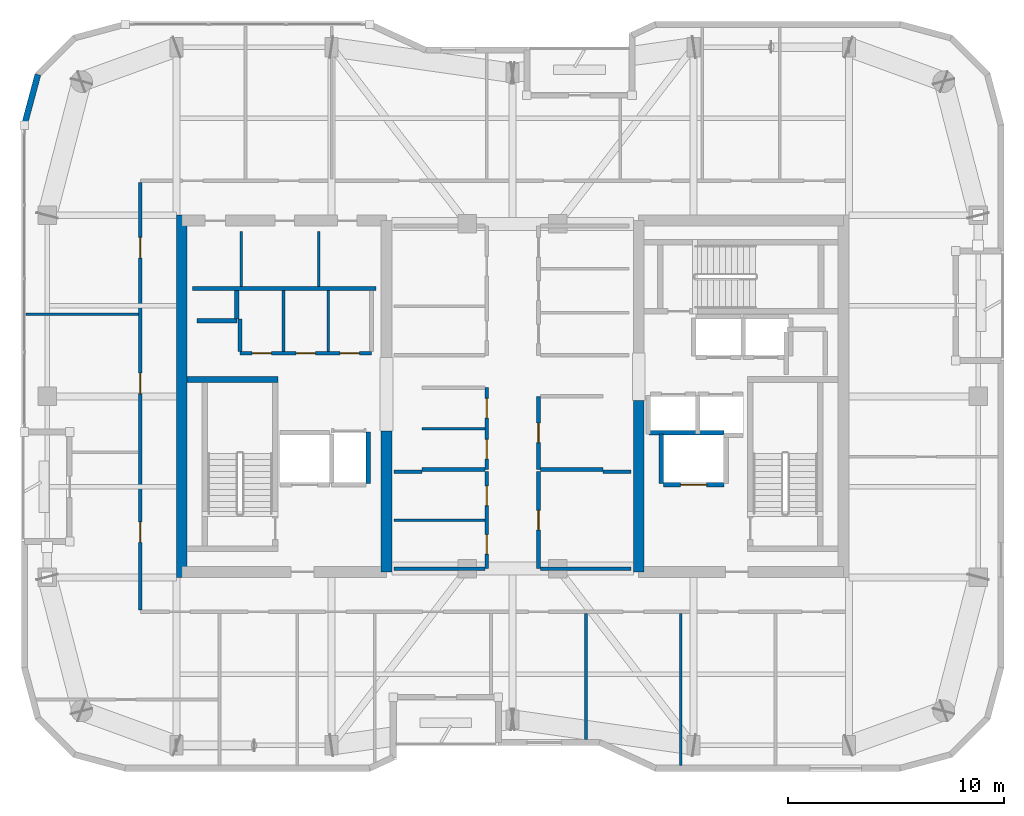
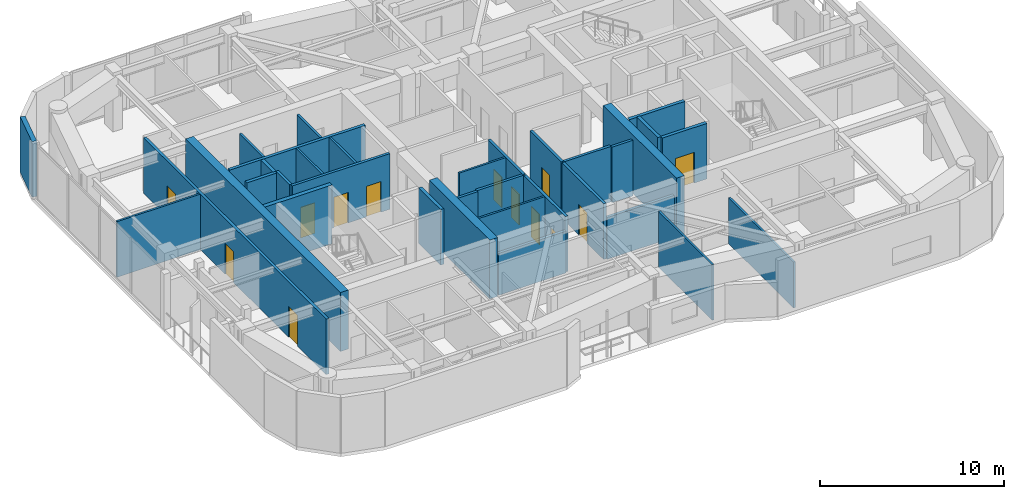
# One storey, part 11 of 16: 34 walls, 13 doors, 13 openings.
"""IFC4 building model written with IfcOpenShell, lengths in metres."""

from ifc_helpers import new_model, si_unit, direction, frame, frame_2d, origin, place, context, subcontext, project, spatial, rectangle, extrude, material, layer, layer_set, type_object, element, fill, save


model = new_model("IFC4")

# Units and contexts
model_context = context("Model", 3, precision=1e-05, world=origin(), true_north=direction((0.0, 1.0)))
body_context = subcontext(model_context, "Body", "Model", "MODEL_VIEW")
ifc_project = project(units=[si_unit("LENGTHUNIT", "METRE"), si_unit("AREAUNIT", "SQUARE_METRE"), si_unit("VOLUMEUNIT", "CUBIC_METRE"), si_unit("PLANEANGLEUNIT", "RADIAN"), si_unit("MASSUNIT", "GRAM", prefix="KILO")], contexts=[model_context])

# Site, building, storey
site_placement = place(None, origin())
site = spatial("IfcSite", under=ifc_project, at=site_placement, CompositionType="ELEMENT")
building_placement = place(site_placement, origin())
building = spatial("IfcBuilding", under=site, at=building_placement, Name="Kiyonajd Concourse Tower", CompositionType="ELEMENT")
storey_placement = place(building_placement, frame((0.0, 0.0, 310.199951171875)))
storey = spatial("IfcBuildingStorey", under=building, at=storey_placement, Name="L78", CompositionType="ELEMENT", Elevation=310.199951171875)

# Walls
ifc_material_1 = material(Name="Concrete C60/75", Category="concrete")
ifc_layer_1 = layer(ifc_material_1, 0.5)
ifc_layer_set_1 = layer_set([ifc_layer_1], Name="Concrete C60/75")
wall_type_1 = type_object("IfcWallType", Name="WL-CORE-500", PredefinedType="SHEAR", material=ifc_layer_set_1)
wall_1_placement = place(storey_placement, frame((32.64990234375, 27.60009765625, 0.0), z_axis=(0.0, 0.0, 1.0), x_axis=(0.0, 1.0, 0.0)))
element("IfcWall", 1, at=wall_1_placement, inside=storey, type_object=wall_type_1, Name="L78 West Core Outer Shear Wall", PredefinedType="SHEAR", context=body_context, shape_type="SweptSolid", body=[
    extrude(rectangle(XDim=16.7998046875, YDim=0.5, at=frame_2d((8.39990234375, 0.0))), origin(), (0.0, 0.0, 1.0), 3.900146484375),
])
wall_2_placement = place(storey_placement, frame((42.14990234375, 27.85009765625, 0.0), z_axis=(0.0, 0.0, 1.0), x_axis=(0.0, 1.0, 0.0)))
element("IfcWall", 2, at=wall_2_placement, inside=storey, type_object=wall_type_1, Name="L78 West Core Inner South Shear Wall", PredefinedType="SHEAR", context=body_context, shape_type="SweptSolid", body=[
    extrude(rectangle(XDim=6.5498046875, YDim=0.5, at=frame_2d((3.27490234375, 0.0))), origin(), (0.0, 0.0, 1.0), 3.900146484375),
])
wall_3_placement = place(storey_placement, frame((53.85009765625, 27.85009765625, 0.0), z_axis=(0.0, 0.0, 1.0), x_axis=(0.0, 1.0, 0.0)))
element("IfcWall", 3, at=wall_3_placement, inside=storey, type_object=wall_type_1, Name="L78 East Core Inner South Shear Wall", PredefinedType="SHEAR", context=body_context, shape_type="SweptSolid", body=[
    extrude(rectangle(XDim=7.949951171875, YDim=0.5, at=frame_2d((3.97509765625, 0.0))), origin(), (0.0, 0.0, 1.0), 3.900146484375),
])
ifc_material_2 = material(Name="Precast concrete C50/60", Category="concrete")
ifc_layer_2 = layer(ifc_material_2, 0.280029296875)
ifc_layer_set_2 = layer_set([ifc_layer_2], Name="Precast concrete C50/60")
wall_type_2 = type_object("IfcWallType", Name="WL-EXT-280", PredefinedType="SOLIDWALL", material=ifc_layer_set_2)
wall_4_placement = place(storey_placement, frame((25.340087890625, 48.58154296875, 0.0), z_axis=(0.0, 0.0, 1.0), x_axis=(0.258751159445, 0.965944013639, 0.0)))
element("IfcWall", 4, at=wall_4_placement, inside=storey, type_object=wall_type_2, Name="L78 Exterior Concrete Frame Wall 06", PredefinedType="SOLIDWALL", context=body_context, shape_type="SweptSolid", body=[
    extrude(rectangle(XDim=2.4287109375, YDim=0.280029296875, at=frame_2d((1.21435546875, 0.0))), origin(), (0.0, 0.0, 1.0), 3.679931640625),
])
ifc_material_3 = material(Name="Gypsum Board on Cold-Formed Steel Stud", Category="steel")
ifc_layer_3 = layer(ifc_material_3, 0.125)
ifc_layer_set_3 = layer_set([ifc_layer_3], Name="Gypsum Board on Cold-Formed Steel Stud")
wall_type_3 = type_object("IfcWallType", Name="WL-PART-125", PredefinedType="PARTITIONING", material=ifc_layer_set_3)
for number, where, z_axis, x_axis, name in (
    (5, (35.39990234375, 41.094970703125, 0.0), (0.0, 0.0, 1.0), (0.0, 1.0, 0.0), "L78 Interior Partition Wall"),
    (6, (39.0, 41.094970703125, 0.0), (0.0, 0.0, 1.0), (0.0, 1.0, 0.0), "L78 Interior Partition Wall"),
):
    element("IfcWall", number, at=place(storey_placement, frame(where, z_axis=z_axis, x_axis=x_axis)), inside=storey, type_object=wall_type_3, Name=name, PredefinedType="PARTITIONING", context=body_context, shape_type="SweptSolid", body=[
        extrude(rectangle(XDim=2.554931640625, YDim=0.125, at=frame_2d((1.27734375, 0.0))), origin(), (0.0, 0.0, 1.0), 3.679931640625),
    ])
for number, where, z_axis, x_axis, name in (
    (7, (37.363037109375, 38.0869140625, 0.0), (0.0, 0.0, 1.0), (0.0, 1.0, 0.0), "L78 Interior Partition Wall"),
    (8, (39.43701171875, 38.0869140625, 0.0), (0.0, 0.0, 1.0), (0.0, 1.0, 0.0), "L78 Interior Partition Wall"),
):
    element("IfcWall", number, at=place(storey_placement, frame(where, z_axis=z_axis, x_axis=x_axis)), inside=storey, type_object=wall_type_3, Name=name, PredefinedType="PARTITIONING", context=body_context, shape_type="SweptSolid", body=[
        extrude(rectangle(XDim=2.81298828125, YDim=0.125, at=frame_2d((1.406494140625, 0.0))), origin(), (0.0, 0.0, 1.0), 3.679931640625),
    ])
wall_5_placement = place(storey_placement, frame((43.800048828125, 34.5, 0.0), z_axis=(0.0, 0.0, 1.0), x_axis=(1.0, 0.0, 0.0)))
element("IfcWall", 9, at=wall_5_placement, inside=storey, type_object=wall_type_3, Name="L78 Interior Partition Wall", PredefinedType="PARTITIONING", context=body_context, shape_type="SweptSolid", body=[
    extrude(rectangle(XDim=2.912841796875, YDim=0.125, at=frame_2d((1.45654296875, 0.0))), origin(), (0.0, 0.0, 1.0), 3.679931640625),
])
wall_6_placement = place(storey_placement, frame((42.5, 30.25, 0.0), z_axis=(0.0, 0.0, 1.0), x_axis=(1.0, 0.0, 0.0)))
element("IfcWall", 10, at=wall_6_placement, inside=storey, type_object=wall_type_3, Name="L78 Interior Partition Wall", PredefinedType="PARTITIONING", context=body_context, shape_type="SweptSolid", body=[
    extrude(rectangle(XDim=4.212890625, YDim=0.125, at=frame_2d((2.1064453125, 0.0))), origin(), (0.0, 0.0, 1.0), 3.679931640625),
])
wall_7_placement = place(storey_placement, frame((51.39990234375, 20.074951171875, 0.0), z_axis=(0.0, 0.0, 1.0), x_axis=(0.0, 1.0, 0.0)))
element("IfcWall", 11, at=wall_7_placement, inside=storey, type_object=wall_type_3, Name="L78 Interior Partition Wall", PredefinedType="PARTITIONING", context=body_context, shape_type="SweptSolid", body=[
    extrude(rectangle(XDim=5.838134765625, YDim=0.125, at=frame_2d((2.9189453125, 0.0))), origin(), (0.0, 0.0, 1.0), 3.679931640625),
])
wall_8_placement = place(storey_placement, frame((55.800048828125, 18.875, 0.0), z_axis=(0.0, 0.0, 1.0), x_axis=(0.0, 1.0, 0.0)))
element("IfcWall", 12, at=wall_8_placement, inside=storey, type_object=wall_type_3, Name="L78 Interior Partition Wall", PredefinedType="PARTITIONING", context=body_context, shape_type="SweptSolid", body=[
    extrude(rectangle(XDim=7.0380859375, YDim=0.125, at=frame_2d((3.51904296875, 0.0))), origin(), (0.0, 0.0, 1.0), 3.04296875),
])
wall_9_placement = place(storey_placement, frame((25.425048828125, 39.800048828125, 0.0), z_axis=(0.0, 0.0, 1.0), x_axis=(1.0, 0.0, 0.0)))
element("IfcWall", 13, at=wall_9_placement, inside=storey, type_object=wall_type_3, Name="L78 Interior Partition Wall", PredefinedType="PARTITIONING", context=body_context, shape_type="SweptSolid", body=[
    extrude(rectangle(XDim=5.212890625, YDim=0.125, at=frame_2d((2.6064453125, 0.0))), origin(), (0.0, 0.0, 1.0), 3.679931640625),
])
ifc_layer_4 = layer(ifc_material_3, 0.18994140625)
ifc_layer_set_4 = layer_set([ifc_layer_4], Name="Gypsum Board on Cold-Formed Steel Stud")
wall_type_4 = type_object("IfcWallType", Name="WL-PLMB-190", PredefinedType="PLUMBINGWALL", material=ifc_layer_set_4)
wall_10_placement = place(storey_placement, frame((33.14990234375, 41.0, 0.0), z_axis=(0.0, 0.0, 1.0), x_axis=(1.0, 0.0, 0.0)))
element("IfcWall", 14, at=wall_10_placement, inside=storey, type_object=wall_type_4, Name="L78 Interior Partition Wall", PredefinedType="PLUMBINGWALL", context=body_context, shape_type="SweptSolid", body=[
    extrude(rectangle(XDim=8.5, YDim=0.18994140625, at=frame_2d((4.25, 0.0))), origin(), (0.0, 0.0, 1.0), 3.679931640625),
])
ifc_layer_5 = layer(ifc_material_3, 0.2099609375)
ifc_layer_set_5 = layer_set([ifc_layer_5], Name="Gypsum Board on Cold-Formed Steel Stud")
wall_type_5 = type_object("IfcWallType", Name="WL-SHAFT-210", PredefinedType="PARTITIONING", material=ifc_layer_set_5)
wall_11_placement = place(storey_placement, frame((33.360107421875, 39.5, 0.0), z_axis=(0.0, 0.0, 1.0), x_axis=(1.0, 0.0, 0.0)))
element("IfcWall", 15, at=wall_11_placement, inside=storey, type_object=wall_type_5, Name="L78 Shaft Enclosure Wall", PredefinedType="PARTITIONING", context=body_context, shape_type="SweptSolid", body=[
    extrude(rectangle(XDim=1.85986328125, YDim=0.2099609375, at=frame_2d((0.929931640625, 0.0))), origin(), (0.0, 0.0, 1.0), 3.679931640625),
])
wall_12_placement = place(storey_placement, frame((35.199951171875, 39.580078125, 0.0), z_axis=(0.0, 0.0, 1.0), x_axis=(0.0, 1.0, 0.0)))
element("IfcWall", 16, at=wall_12_placement, inside=storey, type_object=wall_type_5, Name="L78 Shaft Enclosure Wall", PredefinedType="PARTITIONING", context=body_context, shape_type="SweptSolid", body=[
    extrude(rectangle(XDim=1.31982421875, YDim=0.2099609375, at=frame_2d((0.659912109375, 0.0))), origin(), (0.0, 0.0, 1.0), 3.679931640625),
])

# Wall, opening, door
wall_13_placement = place(storey_placement, frame((55.0, 31.89990234375, 0.0), z_axis=(0.0, 0.0, 1.0), x_axis=(1.0, 0.0, 0.0)))
wall_13 = element("IfcWall", 17, at=wall_13_placement, inside=storey, type_object=wall_type_5, Name="L78 Shaft Enclosure Wall", PredefinedType="PARTITIONING", context=body_context, shape_type="SweptSolid", body=[
    extrude(rectangle(XDim=2.800048828125, YDim=0.2099609375, at=frame_2d((1.39990234375, 0.0))), origin(), (0.0, 0.0, 1.0), 3.679931640625),
])
opening_1_placement = place(wall_13_placement, frame((0.800048828125, 0.0, 0.0)))
opening_1 = element("IfcOpeningElement", 18, at=opening_1_placement, cuts=wall_13, Name="Opening LD2", PredefinedType="OPENING", context=body_context, shape_type="SweptSolid", body=[
    extrude(rectangle(XDim=1.199951171875, YDim=2.0400390625, at=frame_2d((0.60009765625, 1.02001953125))), frame((0.0, 0.114990234375, 0.0), z_axis=(0.0, -1.0, 0.0), x_axis=(1.0, 0.0, 0.0)), (0.0, 0.0, 1.0), 0.22998046875),
])
ifc_material_4 = material(Name="Brushed Stainless Steel Cab Assembly", Category="steel")
door_type_1 = type_object("IfcDoorType", Name="DR-LD-1200", OperationType="DOUBLE_DOOR_SLIDING", PredefinedType="DOOR", material=ifc_material_4)
door_1_placement = place(opening_1_placement, origin())
door_1 = element("IfcDoor", 19, at=door_1_placement, inside=storey, type_object=door_type_1, Name="L78 Lift FFL2 Sliding Landing Door", OperationType="DOUBLE_DOOR_SLIDING", OverallHeight=2.0400390625, OverallWidth=1.199951171875, PredefinedType="DOOR", context=body_context, shape_type="SweptSolid", body=[
    extrude(rectangle(XDim=1.199951171875, YDim=2.0400390625, at=frame_2d((0.60009765625, 1.02001953125))), frame((0.0, 0.02490234375, 0.0), z_axis=(0.0, -1.0, 0.0), x_axis=(1.0, 0.0, 0.0)), (0.0, 0.0, 1.0), 0.050048828125),
])
fill(opening_1, door_1)

# Walls
wall_14_placement = place(storey_placement, frame((54.320068359375, 34.300048828125, 0.0), z_axis=(0.0, 0.0, 1.0), x_axis=(1.0, 0.0, 0.0)))
element("IfcWall", 20, at=wall_14_placement, inside=storey, type_object=wall_type_5, Name="L78 Shaft Enclosure Wall", PredefinedType="PARTITIONING", context=body_context, shape_type="SweptSolid", body=[
    extrude(rectangle(XDim=3.47998046875, YDim=0.2099609375, at=frame_2d((1.739990234375, 0.0))), origin(), (0.0, 0.0, 1.0), 3.679931640625),
])
wall_15_placement = place(storey_placement, frame((54.89990234375, 31.9599609375, 0.0), z_axis=(0.0, 0.0, 1.0), x_axis=(0.0, 1.0, 0.0)))
element("IfcWall", 21, at=wall_15_placement, inside=storey, type_object=wall_type_5, Name="L78 Shaft Enclosure Wall", PredefinedType="PARTITIONING", context=body_context, shape_type="SweptSolid", body=[
    extrude(rectangle(XDim=2.280029296875, YDim=0.2099609375, at=frame_2d((1.14013671875, 0.0))), origin(), (0.0, 0.0, 1.0), 3.679931640625),
])
wall_16_placement = place(storey_placement, frame((41.300048828125, 31.9599609375, 0.0), z_axis=(0.0, 0.0, 1.0), x_axis=(0.0, 1.0, 0.0)))
element("IfcWall", 22, at=wall_16_placement, inside=storey, type_object=wall_type_5, Name="L78 Shaft Enclosure Wall", PredefinedType="PARTITIONING", context=body_context, shape_type="SweptSolid", body=[
    extrude(rectangle(XDim=2.380126953125, YDim=0.2099609375, at=frame_2d((1.18994140625, 0.0))), origin(), (0.0, 0.0, 1.0), 3.679931640625),
])

# Wall, openings, doors
ifc_layer_6 = layer(ifc_material_3, 0.169921875)
ifc_layer_set_6 = layer_set([ifc_layer_6], Name="Gypsum Board on Cold-Formed Steel Stud")
wall_type_6 = type_object("IfcWallType", Name="WL-SMK-170", PredefinedType="PARTITIONING", material=ifc_layer_set_6)
wall_17_placement = place(storey_placement, frame((35.35009765625, 38.0, 0.0), z_axis=(0.0, 0.0, 1.0), x_axis=(1.0, 0.0, 0.0)))
wall_17 = element("IfcWall", 23, at=wall_17_placement, inside=storey, type_object=wall_type_6, Name="L78 Interior Partition Wall", PredefinedType="PARTITIONING", context=body_context, shape_type="SweptSolid", body=[
    extrude(rectangle(XDim=6.099853515625, YDim=0.169921875, at=frame_2d((3.0498046875, 0.0))), origin(), (0.0, 0.0, 1.0), 3.679931640625),
])
opening_2_placement = place(wall_17_placement, frame((0.555908203125, 0.0, 0.0)))
opening_2 = element("IfcOpeningElement", 24, at=opening_2_placement, cuts=wall_17, Name="Opening DI2", PredefinedType="OPENING", context=body_context, shape_type="SweptSolid", body=[
    extrude(rectangle(XDim=0.89990234375, YDim=2.02001953125, at=frame_2d((0.449951171875, 1.010009765625))), frame((0.0, 0.094970703125, 0.0), z_axis=(0.0, -1.0, 0.0), x_axis=(1.0, 0.0, 0.0)), (0.0, 0.0, 1.0), 0.18994140625),
])
opening_3_placement = place(wall_17_placement, frame((2.60009765625, 0.0, 0.0)))
opening_3 = element("IfcOpeningElement", 25, at=opening_3_placement, cuts=wall_17, Name="Opening DI2", PredefinedType="OPENING", context=body_context, shape_type="SweptSolid", body=[
    extrude(rectangle(XDim=0.89990234375, YDim=2.02001953125, at=frame_2d((0.449951171875, 1.010009765625))), frame((0.0, 0.094970703125, 0.0), z_axis=(0.0, -1.0, 0.0), x_axis=(1.0, 0.0, 0.0)), (0.0, 0.0, 1.0), 0.18994140625),
])
opening_4_placement = place(wall_17_placement, frame((4.64306640625, 0.0, 0.0)))
opening_4 = element("IfcOpeningElement", 26, at=opening_4_placement, cuts=wall_17, Name="Opening DI2", PredefinedType="OPENING", context=body_context, shape_type="SweptSolid", body=[
    extrude(rectangle(XDim=0.89990234375, YDim=2.02001953125, at=frame_2d((0.449951171875, 1.010009765625))), frame((0.0, 0.094970703125, 0.0), z_axis=(0.0, -1.0, 0.0), x_axis=(1.0, 0.0, 0.0)), (0.0, 0.0, 1.0), 0.18994140625),
])
ifc_material_5 = material(Name="Natural Oak Acoustic Timber Veneer", Category="wood")
door_type_2 = type_object("IfcDoorType", Name="DR-INT-900", OperationType="NOTDEFINED", PredefinedType="DOOR", material=ifc_material_5)
door_2_placement = place(opening_2_placement, origin())
door_2 = element("IfcDoor", 27, at=door_2_placement, inside=storey, type_object=door_type_2, Name="L78 Interior Door", OperationType="SINGLE_SWING_LEFT", OverallHeight=2.02001953125, OverallWidth=0.89990234375, PredefinedType="DOOR", context=body_context, shape_type="SweptSolid", body=[
    extrude(rectangle(XDim=0.89990234375, YDim=2.02001953125, at=frame_2d((0.449951171875, 1.010009765625))), frame((0.0, 0.02490234375, 0.0), z_axis=(0.0, -1.0, 0.0), x_axis=(1.0, 0.0, 0.0)), (0.0, 0.0, 1.0), 0.050048828125),
])
fill(opening_2, door_2)
door_3_placement = place(opening_3_placement, origin())
door_3 = element("IfcDoor", 28, at=door_3_placement, inside=storey, type_object=door_type_2, Name="L78 Interior Door", OperationType="SINGLE_SWING_RIGHT", OverallHeight=2.02001953125, OverallWidth=0.89990234375, PredefinedType="DOOR", context=body_context, shape_type="SweptSolid", body=[
    extrude(rectangle(XDim=0.89990234375, YDim=2.02001953125, at=frame_2d((0.449951171875, 1.010009765625))), frame((0.0, 0.02490234375, 0.0), z_axis=(0.0, -1.0, 0.0), x_axis=(1.0, 0.0, 0.0)), (0.0, 0.0, 1.0), 0.050048828125),
])
fill(opening_3, door_3)
door_4_placement = place(opening_4_placement, origin())
door_4 = element("IfcDoor", 29, at=door_4_placement, inside=storey, type_object=door_type_2, Name="L78 Interior Door", OperationType="SINGLE_SWING_LEFT", OverallHeight=2.02001953125, OverallWidth=0.89990234375, PredefinedType="DOOR", context=body_context, shape_type="SweptSolid", body=[
    extrude(rectangle(XDim=0.89990234375, YDim=2.02001953125, at=frame_2d((0.449951171875, 1.010009765625))), frame((0.0, 0.02490234375, 0.0), z_axis=(0.0, -1.0, 0.0), x_axis=(1.0, 0.0, 0.0)), (0.0, 0.0, 1.0), 0.050048828125),
])
fill(opening_4, door_4)

# Wall
wall_18_placement = place(storey_placement, frame((35.35009765625, 38.0869140625, 0.0), z_axis=(0.0, 0.0, 1.0), x_axis=(0.0, 1.0, 0.0)))
element("IfcWall", 30, at=wall_18_placement, inside=storey, type_object=wall_type_6, Name="L78 Interior Partition Wall", PredefinedType="PARTITIONING", context=body_context, shape_type="SweptSolid", body=[
    extrude(rectangle(XDim=1.4931640625, YDim=0.169921875, at=frame_2d((0.74658203125, 0.0))), origin(), (0.0, 0.0, 1.0), 3.679931640625),
])

# Wall, openings, doors
wall_19_placement = place(storey_placement, frame((46.800048828125, 32.60009765625, 0.0), z_axis=(0.0, 0.0, 1.0), x_axis=(0.0, 1.0, 0.0)))
wall_19 = element("IfcWall", 31, at=wall_19_placement, inside=storey, type_object=wall_type_6, Name="L78 Interior Partition Wall", PredefinedType="PARTITIONING", context=body_context, shape_type="SweptSolid", body=[
    extrude(rectangle(XDim=3.7998046875, YDim=0.169921875, at=frame_2d((1.89990234375, 0.0))), origin(), (0.0, 0.0, 1.0), 3.679931640625),
])
opening_5_placement = place(wall_19_placement, frame((0.5, 0.0, 0.0)))
opening_5 = element("IfcOpeningElement", 32, at=opening_5_placement, cuts=wall_19, Name="Opening DI2", PredefinedType="OPENING", context=body_context, shape_type="SweptSolid", body=[
    extrude(rectangle(XDim=0.89990234375, YDim=2.02001953125, at=frame_2d((0.449951171875, 1.010009765625))), frame((0.0, 0.094970703125, 0.0), z_axis=(0.0, -1.0, 0.0), x_axis=(1.0, 0.0, 0.0)), (0.0, 0.0, 1.0), 0.18994140625),
])
opening_6_placement = place(wall_19_placement, frame((2.39990234375, 0.0, 0.0)))
opening_6 = element("IfcOpeningElement", 33, at=opening_6_placement, cuts=wall_19, Name="Opening DI2", PredefinedType="OPENING", context=body_context, shape_type="SweptSolid", body=[
    extrude(rectangle(XDim=0.89990234375, YDim=2.02001953125, at=frame_2d((0.449951171875, 1.010009765625))), frame((0.0, 0.094970703125, 0.0), z_axis=(0.0, -1.0, 0.0), x_axis=(1.0, 0.0, 0.0)), (0.0, 0.0, 1.0), 0.18994140625),
])
door_5_placement = place(opening_5_placement, origin())
door_5 = element("IfcDoor", 34, at=door_5_placement, inside=storey, type_object=door_type_2, Name="L78 Interior Door", OperationType="SINGLE_SWING_RIGHT", OverallHeight=2.02001953125, OverallWidth=0.89990234375, PredefinedType="DOOR", context=body_context, shape_type="SweptSolid", body=[
    extrude(rectangle(XDim=0.89990234375, YDim=2.02001953125, at=frame_2d((0.449951171875, 1.010009765625))), frame((0.0, 0.02490234375, 0.0), z_axis=(0.0, -1.0, 0.0), x_axis=(1.0, 0.0, 0.0)), (0.0, 0.0, 1.0), 0.050048828125),
])
fill(opening_5, door_5)
door_6_placement = place(opening_6_placement, origin())
door_6 = element("IfcDoor", 35, at=door_6_placement, inside=storey, type_object=door_type_2, Name="L78 Interior Door", OperationType="SINGLE_SWING_LEFT", OverallHeight=2.02001953125, OverallWidth=0.89990234375, PredefinedType="DOOR", context=body_context, shape_type="SweptSolid", body=[
    extrude(rectangle(XDim=0.89990234375, YDim=2.02001953125, at=frame_2d((0.449951171875, 1.010009765625))), frame((0.0, 0.02490234375, 0.0), z_axis=(0.0, -1.0, 0.0), x_axis=(1.0, 0.0, 0.0)), (0.0, 0.0, 1.0), 0.050048828125),
])
fill(opening_6, door_6)

# Wall
wall_20_placement = place(storey_placement, frame((43.800048828125, 32.60009765625, 0.0), z_axis=(0.0, 0.0, 1.0), x_axis=(1.0, 0.0, 0.0)))
element("IfcWall", 36, at=wall_20_placement, inside=storey, type_object=wall_type_6, Name="L78 Interior Partition Wall", PredefinedType="PARTITIONING", context=body_context, shape_type="SweptSolid", body=[
    extrude(rectangle(XDim=2.912841796875, YDim=0.169921875, at=frame_2d((1.45654296875, 0.0))), origin(), (0.0, 0.0, 1.0), 3.679931640625),
])

# Wall, opening, door
wall_21_placement = place(storey_placement, frame((49.199951171875, 32.60009765625, 0.0), z_axis=(0.0, 0.0, 1.0), x_axis=(0.0, 1.0, 0.0)))
wall_21 = element("IfcWall", 37, at=wall_21_placement, inside=storey, type_object=wall_type_6, Name="L78 Interior Partition Wall", PredefinedType="PARTITIONING", context=body_context, shape_type="SweptSolid", body=[
    extrude(rectangle(XDim=3.39990234375, YDim=0.169921875, at=frame_2d((1.699951171875, 0.0))), origin(), (0.0, 0.0, 1.0), 3.679931640625),
])
opening_7_placement = place(wall_21_placement, frame((1.25, 0.0, 0.0)))
opening_7 = element("IfcOpeningElement", 38, at=opening_7_placement, cuts=wall_21, Name="Opening DI2", PredefinedType="OPENING", context=body_context, shape_type="SweptSolid", body=[
    extrude(rectangle(XDim=0.89990234375, YDim=2.02001953125, at=frame_2d((0.449951171875, 1.010009765625))), frame((0.0, 0.094970703125, 0.0), z_axis=(0.0, -1.0, 0.0), x_axis=(1.0, 0.0, 0.0)), (0.0, 0.0, 1.0), 0.18994140625),
])
door_7_placement = place(opening_7_placement, origin())
door_7 = element("IfcDoor", 39, at=door_7_placement, inside=storey, type_object=door_type_2, Name="L78 Interior Door", OperationType="SINGLE_SWING_RIGHT", OverallHeight=2.02001953125, OverallWidth=0.89990234375, PredefinedType="DOOR", context=body_context, shape_type="SweptSolid", body=[
    extrude(rectangle(XDim=0.89990234375, YDim=2.02001953125, at=frame_2d((0.449951171875, 1.010009765625))), frame((0.0, 0.02490234375, 0.0), z_axis=(0.0, -1.0, 0.0), x_axis=(1.0, 0.0, 0.0)), (0.0, 0.0, 1.0), 0.050048828125),
])
fill(opening_7, door_7)

# Wall
wall_22_placement = place(storey_placement, frame((49.287109375, 32.60009765625, 0.0), z_axis=(0.0, 0.0, 1.0), x_axis=(1.0, 0.0, 0.0)))
element("IfcWall", 40, at=wall_22_placement, inside=storey, type_object=wall_type_6, Name="L78 Interior Partition Wall", PredefinedType="PARTITIONING", context=body_context, shape_type="SweptSolid", body=[
    extrude(rectangle(XDim=2.912841796875, YDim=0.169921875, at=frame_2d((1.45654296875, 0.0))), origin(), (0.0, 0.0, 1.0), 3.679931640625),
])

# Wall, openings, doors
wall_23_placement = place(storey_placement, frame((46.800048828125, 28.0, 0.0), z_axis=(0.0, 0.0, 1.0), x_axis=(0.0, 1.0, 0.0)))
wall_23 = element("IfcWall", 41, at=wall_23_placement, inside=storey, type_object=wall_type_6, Name="L78 Interior Partition Wall", PredefinedType="PARTITIONING", context=body_context, shape_type="SweptSolid", body=[
    extrude(rectangle(XDim=4.5, YDim=0.169921875, at=frame_2d((2.25, 0.0))), origin(), (0.0, 0.0, 1.0), 3.679931640625),
])
opening_8_placement = place(wall_23_placement, frame((0.675048828125, 0.0, 0.0)))
opening_8 = element("IfcOpeningElement", 42, at=opening_8_placement, cuts=wall_23, Name="Opening DI2", PredefinedType="OPENING", context=body_context, shape_type="SweptSolid", body=[
    extrude(rectangle(XDim=0.89990234375, YDim=2.02001953125, at=frame_2d((0.449951171875, 1.010009765625))), frame((0.0, 0.094970703125, 0.0), z_axis=(0.0, -1.0, 0.0), x_axis=(1.0, 0.0, 0.0)), (0.0, 0.0, 1.0), 0.18994140625),
])
opening_9_placement = place(wall_23_placement, frame((2.925048828125, 0.0, 0.0)))
opening_9 = element("IfcOpeningElement", 43, at=opening_9_placement, cuts=wall_23, Name="Opening DI2", PredefinedType="OPENING", context=body_context, shape_type="SweptSolid", body=[
    extrude(rectangle(XDim=0.89990234375, YDim=2.02001953125, at=frame_2d((0.449951171875, 1.010009765625))), frame((0.0, 0.094970703125, 0.0), z_axis=(0.0, -1.0, 0.0), x_axis=(1.0, 0.0, 0.0)), (0.0, 0.0, 1.0), 0.18994140625),
])
door_8_placement = place(opening_8_placement, origin())
door_8 = element("IfcDoor", 44, at=door_8_placement, inside=storey, type_object=door_type_2, Name="L78 Interior Door", OperationType="SINGLE_SWING_LEFT", OverallHeight=2.02001953125, OverallWidth=0.89990234375, PredefinedType="DOOR", context=body_context, shape_type="SweptSolid", body=[
    extrude(rectangle(XDim=0.89990234375, YDim=2.02001953125, at=frame_2d((0.449951171875, 1.010009765625))), frame((0.0, 0.02490234375, 0.0), z_axis=(0.0, -1.0, 0.0), x_axis=(1.0, 0.0, 0.0)), (0.0, 0.0, 1.0), 0.050048828125),
])
fill(opening_8, door_8)
door_9_placement = place(opening_9_placement, origin())
door_9 = element("IfcDoor", 45, at=door_9_placement, inside=storey, type_object=door_type_2, Name="L78 Interior Door", OperationType="SINGLE_SWING_RIGHT", OverallHeight=2.02001953125, OverallWidth=0.89990234375, PredefinedType="DOOR", context=body_context, shape_type="SweptSolid", body=[
    extrude(rectangle(XDim=0.89990234375, YDim=2.02001953125, at=frame_2d((0.449951171875, 1.010009765625))), frame((0.0, 0.02490234375, 0.0), z_axis=(0.0, -1.0, 0.0), x_axis=(1.0, 0.0, 0.0)), (0.0, 0.0, 1.0), 0.050048828125),
])
fill(opening_9, door_9)

# Walls
wall_24_placement = place(storey_placement, frame((42.5, 28.0, 0.0), z_axis=(0.0, 0.0, 1.0), x_axis=(1.0, 0.0, 0.0)))
element("IfcWall", 46, at=wall_24_placement, inside=storey, type_object=wall_type_6, Name="L78 Interior Partition Wall", PredefinedType="PARTITIONING", context=body_context, shape_type="SweptSolid", body=[
    extrude(rectangle(XDim=4.212890625, YDim=0.169921875, at=frame_2d((2.1064453125, 0.0))), origin(), (0.0, 0.0, 1.0), 2.76513671875),
])
wall_25_placement = place(storey_placement, frame((42.5, 32.5, 0.0), z_axis=(0.0, 0.0, 1.0), x_axis=(1.0, 0.0, 0.0)))
element("IfcWall", 47, at=wall_25_placement, inside=storey, type_object=wall_type_6, Name="L78 Interior Partition Wall", PredefinedType="PARTITIONING", context=body_context, shape_type="SweptSolid", body=[
    extrude(rectangle(XDim=1.300048828125, YDim=0.169921875, at=frame_2d((0.64990234375, 0.0))), origin(), (0.0, 0.0, 1.0), 3.679931640625),
])

# Wall, opening, door
wall_26_placement = place(storey_placement, frame((49.199951171875, 28.0, 0.0), z_axis=(0.0, 0.0, 1.0), x_axis=(0.0, 1.0, 0.0)))
wall_26 = element("IfcWall", 48, at=wall_26_placement, inside=storey, type_object=wall_type_6, Name="L78 Interior Partition Wall", PredefinedType="PARTITIONING", context=body_context, shape_type="SweptSolid", body=[
    extrude(rectangle(XDim=4.5, YDim=0.169921875, at=frame_2d((2.25, 0.0))), origin(), (0.0, 0.0, 1.0), 3.679931640625),
])
opening_10_placement = place(wall_26_placement, frame((1.800048828125, 0.0, 0.0)))
opening_10 = element("IfcOpeningElement", 49, at=opening_10_placement, cuts=wall_26, Name="Opening DI2", PredefinedType="OPENING", context=body_context, shape_type="SweptSolid", body=[
    extrude(rectangle(XDim=0.89990234375, YDim=2.02001953125, at=frame_2d((0.449951171875, 1.010009765625))), frame((0.0, 0.094970703125, 0.0), z_axis=(0.0, -1.0, 0.0), x_axis=(1.0, 0.0, 0.0)), (0.0, 0.0, 1.0), 0.18994140625),
])
door_10_placement = place(opening_10_placement, origin())
door_10 = element("IfcDoor", 50, at=door_10_placement, inside=storey, type_object=door_type_2, Name="L78 Interior Door", OperationType="SINGLE_SWING_LEFT", OverallHeight=2.02001953125, OverallWidth=0.89990234375, PredefinedType="DOOR", context=body_context, shape_type="SweptSolid", body=[
    extrude(rectangle(XDim=0.89990234375, YDim=2.02001953125, at=frame_2d((0.449951171875, 1.010009765625))), frame((0.0, 0.02490234375, 0.0), z_axis=(0.0, -1.0, 0.0), x_axis=(1.0, 0.0, 0.0)), (0.0, 0.0, 1.0), 0.050048828125),
])
fill(opening_10, door_10)

# Walls
wall_27_placement = place(storey_placement, frame((49.287109375, 28.0, 0.0), z_axis=(0.0, 0.0, 1.0), x_axis=(1.0, 0.0, 0.0)))
element("IfcWall", 51, at=wall_27_placement, inside=storey, type_object=wall_type_6, Name="L78 Interior Partition Wall", PredefinedType="PARTITIONING", context=body_context, shape_type="SweptSolid", body=[
    extrude(rectangle(XDim=4.212890625, YDim=0.169921875, at=frame_2d((2.1064453125, 0.0))), origin(), (0.0, 0.0, 1.0), 2.76513671875),
])
wall_28_placement = place(storey_placement, frame((52.199951171875, 32.5, 0.0), z_axis=(0.0, 0.0, 1.0), x_axis=(1.0, 0.0, 0.0)))
element("IfcWall", 52, at=wall_28_placement, inside=storey, type_object=wall_type_6, Name="L78 Interior Partition Wall", PredefinedType="PARTITIONING", context=body_context, shape_type="SweptSolid", body=[
    extrude(rectangle(XDim=1.300048828125, YDim=0.169921875, at=frame_2d((0.64990234375, 0.0))), origin(), (0.0, 0.0, 1.0), 3.679931640625),
])

# Wall, openings, doors
wall_29_placement = place(storey_placement, frame((30.72509765625, 26.0869140625, 0.0), z_axis=(0.0, 0.0, 1.0), x_axis=(0.0, 1.0, 0.0)))
wall_29 = element("IfcWall", 53, at=wall_29_placement, inside=storey, type_object=wall_type_6, Name="L78 Interior Partition Wall", PredefinedType="PARTITIONING", context=body_context, shape_type="SweptSolid", body=[
    extrude(rectangle(XDim=19.826171875, YDim=0.169921875, at=frame_2d((9.9130859375, 0.0))), origin(), (0.0, 0.0, 1.0), 3.679931640625),
])
opening_11_placement = place(wall_29_placement, frame((3.137939453125, 0.0, 0.0)))
opening_11 = element("IfcOpeningElement", 54, at=opening_11_placement, cuts=wall_29, Name="Opening DI1", PredefinedType="OPENING", context=body_context, shape_type="SweptSolid", body=[
    extrude(rectangle(XDim=0.949951171875, YDim=2.0400390625, at=frame_2d((0.47509765625, 1.02001953125))), frame((0.0, 0.094970703125, 0.0), z_axis=(0.0, -1.0, 0.0), x_axis=(1.0, 0.0, 0.0)), (0.0, 0.0, 1.0), 0.18994140625),
])
opening_12_placement = place(wall_29_placement, frame((10.0380859375, 0.0, 0.0)))
opening_12 = element("IfcOpeningElement", 55, at=opening_12_placement, cuts=wall_29, Name="Opening DI1", PredefinedType="OPENING", context=body_context, shape_type="SweptSolid", body=[
    extrude(rectangle(XDim=0.949951171875, YDim=2.0400390625, at=frame_2d((0.47509765625, 1.02001953125))), frame((0.0, 0.094970703125, 0.0), z_axis=(0.0, -1.0, 0.0), x_axis=(1.0, 0.0, 0.0)), (0.0, 0.0, 1.0), 0.18994140625),
])
opening_13_placement = place(wall_29_placement, frame((16.337890625, 0.0, 0.0)))
opening_13 = element("IfcOpeningElement", 56, at=opening_13_placement, cuts=wall_29, Name="Opening DI1", PredefinedType="OPENING", context=body_context, shape_type="SweptSolid", body=[
    extrude(rectangle(XDim=0.949951171875, YDim=2.0400390625, at=frame_2d((0.47509765625, 1.02001953125))), frame((0.0, 0.094970703125, 0.0), z_axis=(0.0, -1.0, 0.0), x_axis=(1.0, 0.0, 0.0)), (0.0, 0.0, 1.0), 0.18994140625),
])
door_type_3 = type_object("IfcDoorType", Name="DR-INT-950", OperationType="NOTDEFINED", PredefinedType="DOOR", material=ifc_material_5)
door_11_placement = place(opening_11_placement, origin())
door_11 = element("IfcDoor", 57, at=door_11_placement, inside=storey, type_object=door_type_3, Name="L78 Interior Door", OperationType="SINGLE_SWING_LEFT", OverallHeight=2.0400390625, OverallWidth=0.949951171875, PredefinedType="DOOR", context=body_context, shape_type="SweptSolid", body=[
    extrude(rectangle(XDim=0.949951171875, YDim=2.0400390625, at=frame_2d((0.47509765625, 1.02001953125))), frame((0.0, 0.02490234375, 0.0), z_axis=(0.0, -1.0, 0.0), x_axis=(1.0, 0.0, 0.0)), (0.0, 0.0, 1.0), 0.050048828125),
])
fill(opening_11, door_11)
door_12_placement = place(opening_12_placement, origin())
door_12 = element("IfcDoor", 58, at=door_12_placement, inside=storey, type_object=door_type_3, Name="L78 Interior Door", OperationType="SINGLE_SWING_RIGHT", OverallHeight=2.0400390625, OverallWidth=0.949951171875, PredefinedType="DOOR", context=body_context, shape_type="SweptSolid", body=[
    extrude(rectangle(XDim=0.949951171875, YDim=2.0400390625, at=frame_2d((0.47509765625, 1.02001953125))), frame((0.0, 0.02490234375, 0.0), z_axis=(0.0, -1.0, 0.0), x_axis=(1.0, 0.0, 0.0)), (0.0, 0.0, 1.0), 0.050048828125),
])
fill(opening_12, door_12)
door_13_placement = place(opening_13_placement, origin())
door_13 = element("IfcDoor", 59, at=door_13_placement, inside=storey, type_object=door_type_3, Name="L78 Interior Door", OperationType="SINGLE_SWING_LEFT", OverallHeight=2.0400390625, OverallWidth=0.949951171875, PredefinedType="DOOR", context=body_context, shape_type="SweptSolid", body=[
    extrude(rectangle(XDim=0.949951171875, YDim=2.0400390625, at=frame_2d((0.47509765625, 1.02001953125))), frame((0.0, 0.02490234375, 0.0), z_axis=(0.0, -1.0, 0.0), x_axis=(1.0, 0.0, 0.0)), (0.0, 0.0, 1.0), 0.050048828125),
])
fill(opening_13, door_13)

# Wall
ifc_material_6 = material(Name="Concrete C50/60", Category="concrete")
ifc_layer_7 = layer(ifc_material_6, 0.260009765625)
ifc_layer_set_7 = layer_set([ifc_layer_7], Name="Concrete C50/60")
wall_type_7 = type_object("IfcWallType", Name="WL-STAIR-260", PredefinedType="SHEAR", material=ifc_layer_set_7)
wall_30_placement = place(storey_placement, frame((32.89990234375, 36.780029296875, 0.0), z_axis=(0.0, 0.0, 1.0), x_axis=(1.0, 0.0, 0.0)))
element("IfcWall", 60, at=wall_30_placement, inside=storey, type_object=wall_type_7, Name="L78 Stair ST1 Structural North Wall", PredefinedType="SHEAR", context=body_context, shape_type="SweptSolid", body=[
    extrude(rectangle(XDim=4.210205078125, YDim=0.260009765625, at=frame_2d((2.10498046875, 0.0))), origin(), (0.0, 0.0, 1.0), 3.900146484375),
])

save(model, "model.ifc")
